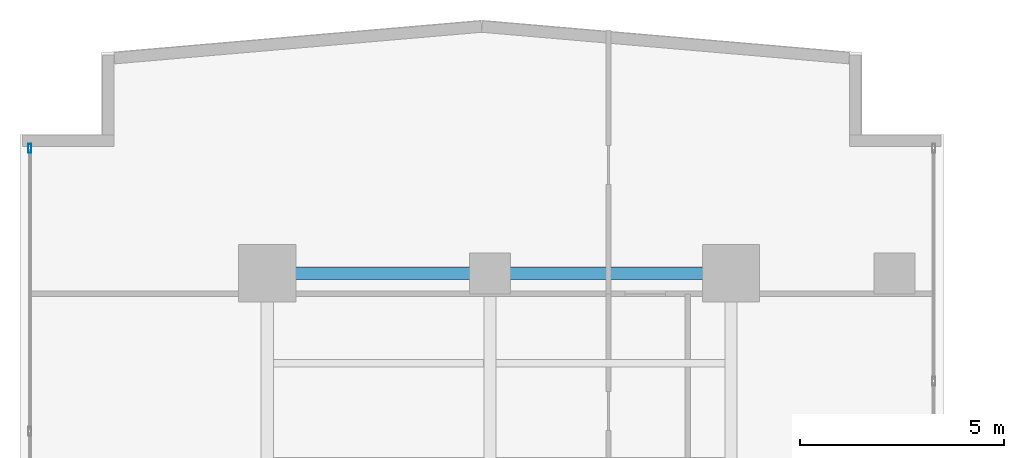
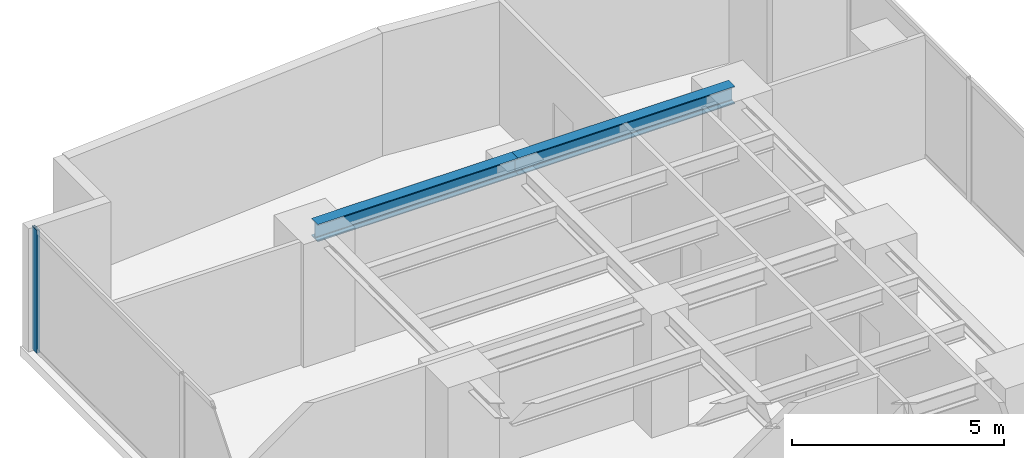
# One storey, part 16 of 24: 2 beams, 1 member, 1 element without a shape of its own.
"""IFC4 building model written with IfcOpenShell, lengths in metres."""

import ifcopenshell
import ifcopenshell.guid

model = None  # the IFC model being written
_history = None  # IfcOwnerHistory: only IFC2X3 demands one
_inside = {}  # id of a spatial element -> (the spatial element, [elements in it])
_under = {}  # id of a project, library or spatial element -> (it, [spatial elements below it])
_declared = {}  # id of a project -> (the project, [libraries it declares])
_typed = {}  # id of a type object -> (the type object, [elements of that type])
_made_of = {}  # id of a material, layer set ... -> (it, [elements and type objects made of it])


def new_model(schema):
    """Start an empty IFC model of exactly this schema.

    Asked for "IFC4X3", IfcOpenShell would pick the latest addendum, in which some entities
    have other attributes; the version numbers below select the first issue.
    IFC2X3 requires an IfcOwnerHistory on every rooted entity: one is made here for all.
    """
    global model, _history
    if schema == "IFC4X3":
        model = ifcopenshell.file(schema_version=(4, 3, 0, 0))
    else:
        model = ifcopenshell.file(schema=schema)
    _inside.clear()
    _under.clear()
    _declared.clear()
    _typed.clear()
    _made_of.clear()
    _history = None
    if model.schema == "IFC2X3":
        org = make("IfcOrganization", Name="unknown")
        user = make(
            "IfcPersonAndOrganization",
            ThePerson=make("IfcPerson", FamilyName="unknown"),
            TheOrganization=org,
        )
        app = make(
            "IfcApplication",
            ApplicationDeveloper=org,
            Version="unknown",
            ApplicationFullName="unknown",
            ApplicationIdentifier="unknown",
        )
        _history = make(
            "IfcOwnerHistory",
            OwningUser=user,
            OwningApplication=app,
            ChangeAction="ADDED",
            CreationDate=0,
        )
    return model


def make(cls, **values):
    """One entity of the class cls with the attributes given. An attribute that is None is left unset."""
    return model.create_entity(
        cls, **{name: value for name, value in values.items() if value is not None}
    )


def rooted(cls, **values):
    """An entity with a GlobalId (a new one), such as an element, a storey or a relation."""
    return make(cls, GlobalId=ifcopenshell.guid.new(), OwnerHistory=_history, **values)


def si_unit(unit_type, name, prefix=None):
    """IfcSIUnit, for example si_unit("LENGTHUNIT", "METRE", prefix="MILLI")."""
    return make("IfcSIUnit", UnitType=unit_type, Prefix=prefix, Name=name)


def assignment(units):
    """IfcUnitAssignment: the units of a project."""
    return None if units is None else make("IfcUnitAssignment", Units=units)


def point(xyz):
    """IfcCartesianPoint."""
    return None if xyz is None else make("IfcCartesianPoint", Coordinates=xyz)


def direction(xyz):
    """IfcDirection."""
    return None if xyz is None else make("IfcDirection", DirectionRatios=xyz)


def frame(location, z_axis=None, x_axis=None):
    """IfcAxis2Placement3D, a coordinate frame: its origin and axes. An axis left out is left unset."""
    return make(
        "IfcAxis2Placement3D",
        Location=point(location),
        Axis=direction(z_axis),
        RefDirection=direction(x_axis),
    )


def frame_2d(location, x_axis=None):
    """IfcAxis2Placement2D, a coordinate frame in the plane: its origin and x axis."""
    return make(
        "IfcAxis2Placement2D", Location=point(location), RefDirection=direction(x_axis)
    )


def origin():
    """The frame at (0, 0, 0) with its axes left unset."""
    return frame((0.0, 0.0, 0.0))


def origin_with_axes():
    """The frame at (0, 0, 0) with the z axis (0, 0, 1) and the x axis (1, 0, 0) written out."""
    return frame((0.0, 0.0, 0.0), z_axis=(0.0, 0.0, 1.0), x_axis=(1.0, 0.0, 0.0))


def origin_2d():
    """The frame at (0, 0) in the plane with its x axis left unset."""
    return frame_2d((0.0, 0.0))


def place(relative_to, where):
    """IfcLocalPlacement: puts the frame where relative to a parent placement (None: the world)."""
    return make(
        "IfcLocalPlacement", PlacementRelTo=relative_to, RelativePlacement=where
    )


def context(
    kind, dimensions, precision=None, world=None, true_north=None, identifier=None
):
    """IfcGeometricRepresentationContext, for example the 3D "Model" context."""
    return make(
        "IfcGeometricRepresentationContext",
        ContextIdentifier=identifier,
        ContextType=kind,
        CoordinateSpaceDimension=dimensions,
        Precision=precision,
        WorldCoordinateSystem=world,
        TrueNorth=true_north,
    )


def subcontext(parent, identifier, kind, view, scale=None):
    """IfcGeometricRepresentationSubContext, for example "Body" below "Model"."""
    return make(
        "IfcGeometricRepresentationSubContext",
        ContextIdentifier=identifier,
        ContextType=kind,
        ParentContext=parent,
        TargetScale=scale,
        TargetView=view,
    )


def project(units=None, contexts=None):
    """IfcProject with its units and contexts."""
    return rooted(
        "IfcProject",
        Name="project",
        RepresentationContexts=contexts,
        UnitsInContext=assignment(units),
    )


def spatial(cls, under=None, at=None, **own):
    """A site, building, storey or space (cls), placed at a placement, below another one or the project."""
    s = rooted(cls, ObjectPlacement=at, **own)
    if under is not None:
        _under.setdefault(under.id(), (under, []))[1].append(s)
    return s


def profile(cls, at=None, kind="AREA", **sizes):
    """A parametric profile (cls). Its sizes go by their IFC names, for example OverallWidth=200.0."""
    return make(cls, ProfileType=kind, Position=at, **sizes)


def hollow_rectangle(**sizes):
    """IfcRectangleHollowProfileDef."""
    return profile("IfcRectangleHollowProfileDef", **sizes)


def i_section(**sizes):
    """IfcIShapeProfileDef."""
    return profile("IfcIShapeProfileDef", **sizes)


def extrude(swept, where, along, depth):
    """IfcExtrudedAreaSolid: the profile swept, set in the frame where, extruded along a direction by depth."""
    return make(
        "IfcExtrudedAreaSolid",
        SweptArea=swept,
        Position=where,
        ExtrudedDirection=direction(along),
        Depth=depth,
    )


def shape(context_of_items, identifier, shape_type, items):
    """IfcShapeRepresentation: the items that make up one representation, for example the "Body"."""
    return make(
        "IfcShapeRepresentation",
        ContextOfItems=context_of_items,
        RepresentationIdentifier=identifier,
        RepresentationType=shape_type,
        Items=items,
    )


def source(mapping_origin, context_of_items, identifier, shape_type, items):
    """IfcRepresentationMap: a shape defined once, which mapped items show again and again."""
    return make(
        "IfcRepresentationMap",
        MappingOrigin=mapping_origin,
        MappedRepresentation=shape(context_of_items, identifier, shape_type, items),
    )


def transform(
    local_origin,
    x_axis=None,
    y_axis=None,
    z_axis=None,
    scale=None,
    scale2=None,
    scale3=None,
    uniform=True,
):
    """IfcCartesianTransformationOperator3D, or its non-uniform kind. x_axis, y_axis, z_axis: its Axis1, 2, 3."""
    if uniform:
        return make(
            "IfcCartesianTransformationOperator3D",
            Axis1=direction(x_axis),
            Axis2=direction(y_axis),
            LocalOrigin=point(local_origin),
            Scale=scale,
            Axis3=direction(z_axis),
        )
    return make(
        "IfcCartesianTransformationOperator3DnonUniform",
        Axis1=direction(x_axis),
        Axis2=direction(y_axis),
        LocalOrigin=point(local_origin),
        Scale=scale,
        Axis3=direction(z_axis),
        Scale2=scale2,
        Scale3=scale3,
    )


def mapped(mapping_source, mapping_target):
    """IfcMappedItem: shows the shape of a source again, moved by a transform."""
    return make(
        "IfcMappedItem", MappingSource=mapping_source, MappingTarget=mapping_target
    )


def material(Name=None, Category=None):
    """IfcMaterial."""
    return make("IfcMaterial", Name=Name, Category=Category)


def layer(
    of_material, thickness, ventilated=None, Name=None, Category=None, Priority=None
):
    """IfcMaterialLayer: one layer of a wall or slab, of a material (None: an air gap)."""
    return make(
        "IfcMaterialLayer",
        Material=of_material,
        LayerThickness=thickness,
        IsVentilated=ventilated,
        Name=Name,
        Category=Category,
        Priority=Priority,
    )


def layer_set(layers, Name=None):
    """IfcMaterialLayerSet."""
    return make("IfcMaterialLayerSet", MaterialLayers=layers, LayerSetName=Name)


def material_profile(
    of_material, cross_section, Name=None, Category=None, Priority=None
):
    """IfcMaterialProfile: a cross section and its material."""
    return make(
        "IfcMaterialProfile",
        Name=Name,
        Material=of_material,
        Profile=cross_section,
        Priority=Priority,
        Category=Category,
    )


def profile_set(profiles, Name=None, composite=None):
    """IfcMaterialProfileSet."""
    return make(
        "IfcMaterialProfileSet",
        Name=Name,
        MaterialProfiles=profiles,
        CompositeProfile=composite,
    )


def made_of(thing, what):
    """Note that an element or type object is made of a material, layer set ...; save() writes the relation."""
    if what is not None:
        _made_of.setdefault(what.id(), (what, []))[1].append(thing)
    return thing


def type_object(cls, material=None, **own):
    """A type object (cls), such as IfcWallType, which elements share."""
    return made_of(rooted(cls, **own), material)


def element(
    cls,
    number,
    at=None,
    inside=None,
    cuts=None,
    type_object=None,
    material=None,
    context=None,
    identifier="Body",
    shape_type=None,
    held_by="IfcProductDefinitionShape",
    body=None,
    shapes=None,
    **own,
):
    """One element of the class cls, such as IfcWall. Its Tag is "e" and its number.

    at: its placement. inside: the storey or other place that contains it. cuts: it is an
    opening in that element (IfcRelVoidsElement). A single representation is given by context,
    identifier, shape_type and body (its items); several are given by shapes. held_by: the class
    of the entity that holds the representations. save() writes the other relations.
    """
    e = rooted(cls, Tag="e%d" % number, ObjectPlacement=at, **own)
    if body is not None:
        shapes = [shape(context, identifier, shape_type, body)]
    if shapes is not None:
        e.Representation = make(held_by, Representations=shapes)
    if inside is not None:
        _inside.setdefault(inside.id(), (inside, []))[1].append(e)
    if cuts is not None:
        rooted(
            "IfcRelVoidsElement", RelatingBuildingElement=cuts, RelatedOpeningElement=e
        )
    if type_object is not None:
        _typed.setdefault(type_object.id(), (type_object, []))[1].append(e)
    return made_of(e, material)


def aggregate(whole, parts):
    """IfcRelAggregates: a whole, such as a stair, and the parts it consists of."""
    return rooted("IfcRelAggregates", RelatingObject=whole, RelatedObjects=parts)


def save(model, path):
    """Write the relations noted so far, then the file.

    IfcRelAggregates (storeys below a building ...), IfcRelContainedInSpatialStructure (elements
    in a storey), IfcRelDefinesByType, IfcRelAssociatesMaterial and IfcRelDeclares: one each for
    every whole, place, type object, material and project.
    """
    for whole, parts in _under.values():
        aggregate(whole, parts)
    for where, things in _inside.values():
        rooted(
            "IfcRelContainedInSpatialStructure",
            RelatedElements=things,
            RelatingStructure=where,
        )
    for kind, things in _typed.values():
        rooted("IfcRelDefinesByType", RelatedObjects=things, RelatingType=kind)
    for what, things in _made_of.values():
        rooted("IfcRelAssociatesMaterial", RelatedObjects=things, RelatingMaterial=what)
    for by, libraries in _declared.values():
        rooted("IfcRelDeclares", RelatingContext=by, RelatedDefinitions=libraries)
    model.write(path)


model = new_model("IFC4")

# Units and contexts
model_context = context("Model", 3, precision=1e-05, world=origin(), true_north=direction((0.0, 1.0)))
body_context = subcontext(model_context, "Body", "Model", "MODEL_VIEW")
ifc_project = project(units=[si_unit("LENGTHUNIT", "METRE"), si_unit("AREAUNIT", "SQUARE_METRE"), si_unit("VOLUMEUNIT", "CUBIC_METRE"), si_unit("PLANEANGLEUNIT", "RADIAN"), si_unit("MASSUNIT", "GRAM", prefix="KILO")], contexts=[model_context])

# Site, building, storey
site_placement = place(None, origin())
site = spatial("IfcSite", under=ifc_project, at=site_placement, CompositionType="ELEMENT")
building_placement = place(site_placement, origin())
building = spatial("IfcBuilding", under=site, at=building_placement, Name="Kolvaren Waterfront Exchange", CompositionType="ELEMENT")
storey_placement = place(building_placement, frame((0.0, 0.0, 95.5)))
storey = spatial("IfcBuildingStorey", under=building, at=storey_placement, Name="L24", CompositionType="ELEMENT", Elevation=95.5)

# Beams
ifc_material_1 = material(Name="Steel S355", Category="steel")
ifc_material_profile_1 = material_profile(ifc_material_1, i_section(OverallWidth=0.300048828125, OverallDepth=0.5, WebThickness=0.014404296875, FlangeThickness=0.028076171875, FilletRadius=0.027099609375, at=origin_2d()), Name="HEB500")
ifc_profile_set_1 = profile_set([ifc_material_profile_1], Name="Steel S355")
beam_type = type_object("IfcBeamType", Name="STR-BM-HEB500", PredefinedType="BEAM", material=ifc_profile_set_1)
beam_1_placement = place(storey_placement, frame((7.449951171875, 44.60009765625, 3.2900390625), z_axis=(1.0, 0.0, 0.0), x_axis=(0.0, 1.0, 0.0)))
element("IfcBeam", 1, at=beam_1_placement, inside=storey, type_object=beam_type, Name="L24 north-arm girder 4A", PredefinedType="BEAM", context=body_context, shape_type="SweptSolid", body=[
    extrude(i_section(OverallWidth=0.300048828125, OverallDepth=0.5, WebThickness=0.014404296875, FlangeThickness=0.028076171875, FilletRadius=0.027099609375, at=origin_2d()), origin(), (0.0, 0.0, 1.0), 5.449951171875),
])
beam_2_placement = place(storey_placement, frame((12.89990234375, 44.60009765625, 3.2900390625), z_axis=(1.0, 0.0, 0.0), x_axis=(0.0, 1.0, 0.0)))
element("IfcBeam", 2, at=beam_2_placement, inside=storey, type_object=beam_type, Name="L24 north-arm girder 4B", PredefinedType="BEAM", context=body_context, shape_type="SweptSolid", body=[
    extrude(i_section(OverallWidth=0.300048828125, OverallDepth=0.5, WebThickness=0.014404296875, FlangeThickness=0.028076171875, FilletRadius=0.027099609375, at=origin_2d()), origin(), (0.0, 0.0, 1.0), 5.900146484375),
])

# Curtain wall, member
ifc_material_2 = material(Name="Anodised aluminium 6063-T6", Category="aluminium")
ifc_layer = layer(ifc_material_2, 0.219970703125, Name="Anodised aluminium 6063-T6")
ifc_layer_set = layer_set([ifc_layer], Name="Anodised aluminium 6063-T6")
curtain_wall_type = type_object("IfcCurtainWallType", Name="ARC-CW-SYS2", PredefinedType="USERDEFINED", material=ifc_layer_set)
curtain_wall_placement = place(storey_placement, origin())
curtain_wall = element("IfcCurtainWall", 3, at=curtain_wall_placement, inside=storey, type_object=curtain_wall_type, Name="L24 stick curtain wall CW2 (CW-L24-W)", ObjectType="STICK CURTAIN WALL", PredefinedType="USERDEFINED")
ifc_material_profile_2 = material_profile(ifc_material_2, hollow_rectangle(XDim=0.080078125, YDim=0.219970703125, WallThickness=0.0048828125, at=origin_2d()), Name="ALU-MUL-220x80x5")
ifc_profile_set_2 = profile_set([ifc_material_profile_2], Name="Anodised aluminium 6063-T6")
member_type = type_object("IfcMemberType", Name="ARC-CWM-220", PredefinedType="MULLION", material=ifc_profile_set_2)
shared_shape = source(origin_with_axes(), body_context, "Body", "SweptSolid", [
    extrude(hollow_rectangle(XDim=0.080078125, YDim=0.219970703125, WallThickness=0.0048828125, at=origin_2d()), origin(), (0.0, 0.0, 1.0), 3.5400390625),
])
member_placement = place(storey_placement, frame((1.639892578125, 47.659912109375, 0.0), z_axis=(0.0, 0.0, 1.0), x_axis=(-1.0, 0.0, 0.0)))
member = element("IfcMember", 4, at=member_placement, type_object=member_type, Name="CW2 mullion 7", PredefinedType="MULLION", context=body_context, shape_type="MappedRepresentation", body=[
    mapped(shared_shape, transform((0.0, 0.0, 0.0), x_axis=(1.0, 0.0, 0.0), y_axis=(0.0, 1.0, 0.0), z_axis=(0.0, 0.0, 1.0), scale=1.0)),
])
aggregate(curtain_wall, [member])

save(model, "model.ifc")
